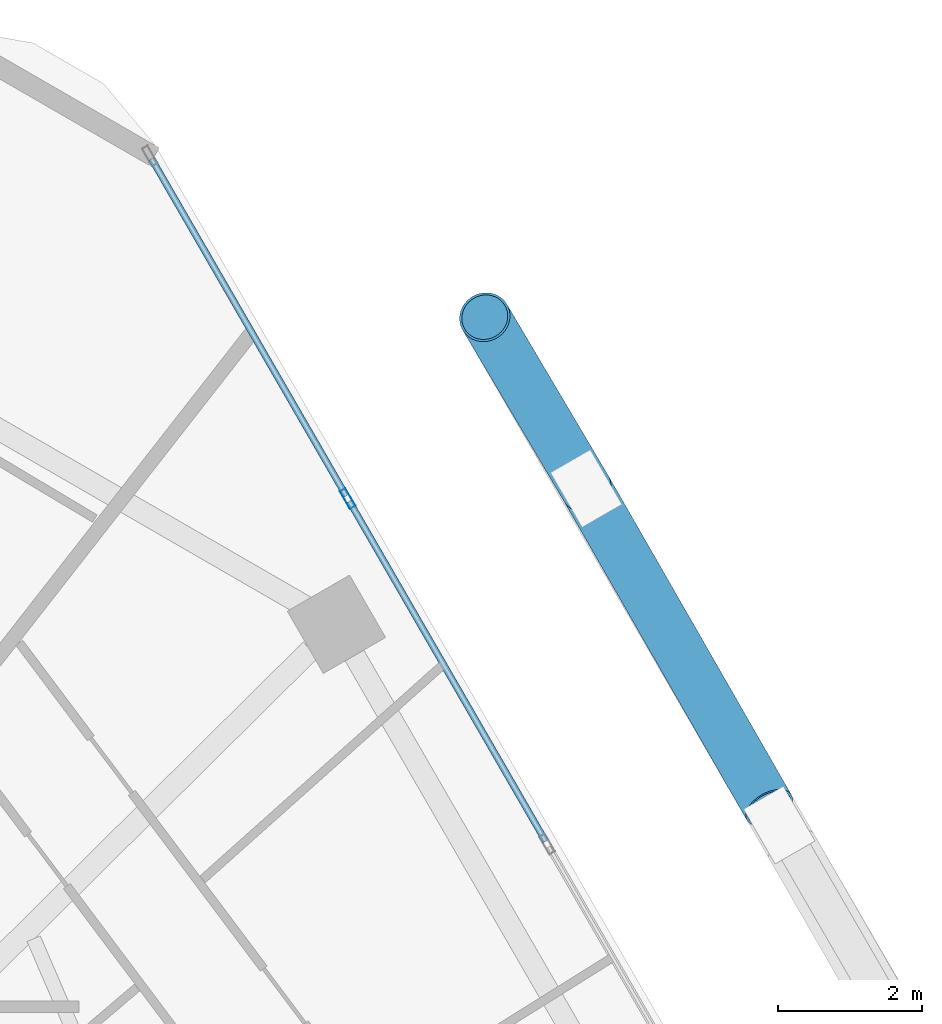
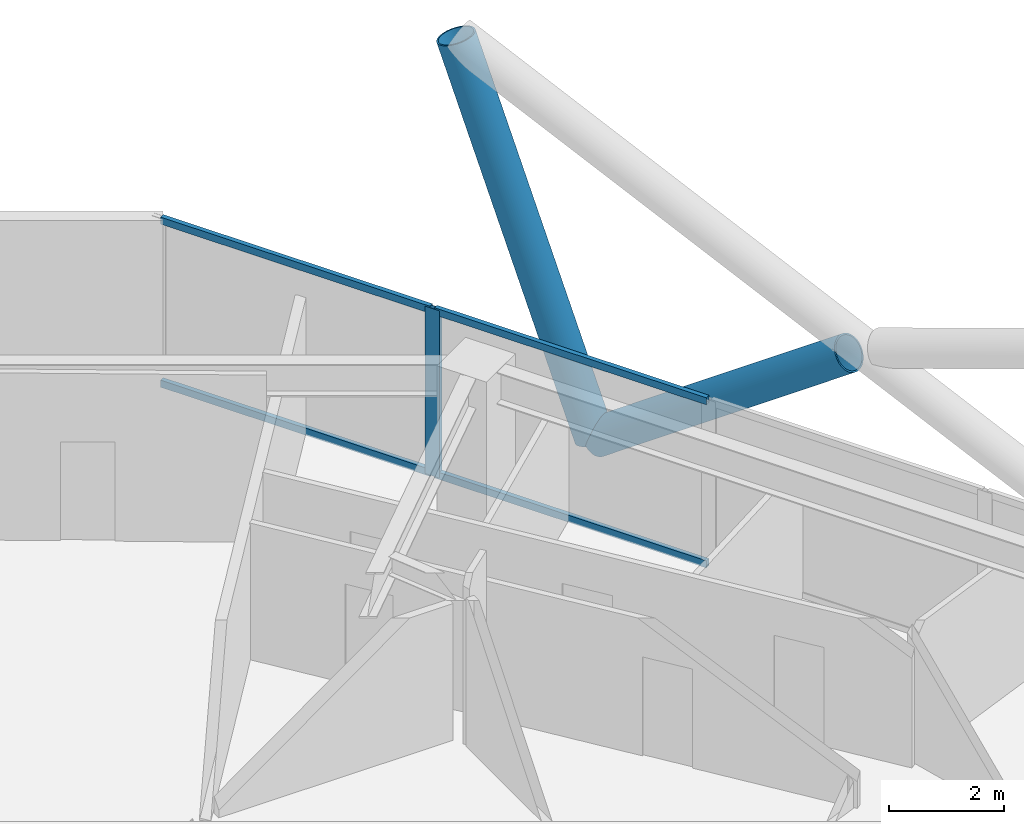
# One storey, part 18 of 28: 7 members, 1 element without a shape of its own.
"""IFC4 building model written with IfcOpenShell, lengths in metres."""

from ifc_helpers import new_model, si_unit, direction, frame, origin, origin_2d, place, context, subcontext, project, spatial, hollow_rectangle, hollow_circle, extrude, material, material_profile, profile_set, type_object, element, aggregate, save


model = new_model("IFC4")

# Units and contexts
model_context = context("Model", 3, precision=1e-05, world=origin(), true_north=direction((0.0, 1.0)))
body_context = subcontext(model_context, "Body", "Model", "MODEL_VIEW")
ifc_project = project(units=[si_unit("LENGTHUNIT", "METRE"), si_unit("AREAUNIT", "SQUARE_METRE"), si_unit("VOLUMEUNIT", "CUBIC_METRE"), si_unit("PLANEANGLEUNIT", "RADIAN"), si_unit("MASSUNIT", "GRAM", prefix="KILO")], contexts=[model_context])

# Site, building, storey
site_placement = place(None, origin())
site = spatial("IfcSite", under=ifc_project, at=site_placement, CompositionType="ELEMENT")
building_placement = place(site_placement, origin())
building = spatial("IfcBuilding", under=site, at=building_placement, Name="Zuhravey Tower", CompositionType="ELEMENT")
storey_placement = place(building_placement, frame((0.0, 0.0, 154.199951171875)))
storey = spatial("IfcBuildingStorey", under=building, at=storey_placement, Name="L38", CompositionType="ELEMENT", Elevation=154.199951171875)

# Curtain wall, members
ifc_material_1 = material(Name="Thermally broken anodised aluminium", Category="aluminium")
curtain_wall_type = type_object("IfcCurtainWallType", Name="Zone 1-2 Residential Curtain Wall CW3", PredefinedType="NOTDEFINED", material=ifc_material_1)
curtain_wall_placement = place(storey_placement, origin())
curtain_wall = element("IfcCurtainWall", 1, at=curtain_wall_placement, inside=storey, type_object=curtain_wall_type, Name="L38 CW3 CW-L38-F1-1", PredefinedType="NOTDEFINED")
ifc_material_2 = material(Name="Anodised aluminium", Category="aluminium")
ifc_material_profile_1 = material_profile(ifc_material_2, hollow_rectangle(XDim=0.090087890625, YDim=0.284912109375, WallThickness=0.0048828125, at=origin_2d()), Name="ALU-RHS-90x285x5")
ifc_profile_set_1 = profile_set([ifc_material_profile_1], Name="Anodised aluminium")
member_type_1 = type_object("IfcMemberType", Name="Curtain-Wall Mullion 90x180", PredefinedType="MULLION", material=ifc_profile_set_1)
member_1_placement = place(storey_placement, frame((55.3828125, 52.7939453125, 0.0), z_axis=(0.0, 0.0, 1.0), x_axis=(0.866025138215, 0.500000459979, 0.0)))
member_1 = element("IfcMember", 2, at=member_1_placement, type_object=member_type_1, Name="CW3 mullion 2", PredefinedType="MULLION", context=body_context, shape_type="SweptSolid", body=[
    extrude(hollow_rectangle(XDim=0.090087890625, YDim=0.284912109375, WallThickness=0.0048828125, at=origin_2d()), origin(), (0.0, 0.0, 1.0), 3.550048828125),
])
ifc_material_profile_2 = material_profile(ifc_material_2, hollow_rectangle(XDim=0.090087890625, YDim=0.14990234375, WallThickness=0.0048828125, at=origin_2d()), Name="ALU-RHS-90x150x5")
ifc_profile_set_2 = profile_set([ifc_material_profile_2], Name="Anodised aluminium")
member_type_2 = type_object("IfcMemberType", Name="Curtain-Wall Transom 90x150", PredefinedType="USERDEFINED", material=ifc_profile_set_2)
member_2_placement = place(storey_placement, frame((52.65576171875, 57.517578125, 0.045166015625), z_axis=(0.499993332629, -0.866029253159, 0.0), x_axis=(0.866029253159, 0.499993332629, 0.0)))
member_2 = element("IfcMember", 3, at=member_2_placement, type_object=member_type_2, Name="CW3 transom 1.1", ObjectType="TRANSOM", PredefinedType="USERDEFINED", context=body_context, shape_type="SweptSolid", body=[
    extrude(hollow_rectangle(XDim=0.090087890625, YDim=0.14990234375, WallThickness=0.0048828125, at=origin_2d()), origin(), (0.0, 0.0, 1.0), 5.4091796875),
])
member_3_placement = place(storey_placement, frame((52.65576171875, 57.517578125, 3.505126953125), z_axis=(0.499993332629, -0.866029253159, 0.0), x_axis=(0.866029253159, 0.499993332629, 0.0)))
member_3 = element("IfcMember", 4, at=member_3_placement, type_object=member_type_2, Name="CW3 transom 1.2", ObjectType="TRANSOM", PredefinedType="USERDEFINED", context=body_context, shape_type="SweptSolid", body=[
    extrude(hollow_rectangle(XDim=0.090087890625, YDim=0.14990234375, WallThickness=0.0048828125, at=origin_2d()), origin(), (0.0, 0.0, 1.0), 5.4091796875),
])
member_4_placement = place(storey_placement, frame((55.405517578125, 52.755126953125, 0.045166015625), z_axis=(0.49996138257, -0.86604769842, 0.0), x_axis=(0.86604769842, 0.49996138257, 0.0)))
member_4 = element("IfcMember", 5, at=member_4_placement, type_object=member_type_2, Name="CW3 transom 2.1", ObjectType="TRANSOM", PredefinedType="USERDEFINED", context=body_context, shape_type="SweptSolid", body=[
    extrude(hollow_rectangle(XDim=0.090087890625, YDim=0.14990234375, WallThickness=0.0048828125, at=origin_2d()), origin(), (0.0, 0.0, 1.0), 5.45458984375),
])
member_5_placement = place(storey_placement, frame((55.405517578125, 52.755126953125, 3.505126953125), z_axis=(0.49996138257, -0.86604769842, 0.0), x_axis=(0.86604769842, 0.49996138257, 0.0)))
member_5 = element("IfcMember", 6, at=member_5_placement, type_object=member_type_2, Name="CW3 transom 2.2", ObjectType="TRANSOM", PredefinedType="USERDEFINED", context=body_context, shape_type="SweptSolid", body=[
    extrude(hollow_rectangle(XDim=0.090087890625, YDim=0.14990234375, WallThickness=0.0048828125, at=origin_2d()), origin(), (0.0, 0.0, 1.0), 5.45458984375),
])
aggregate(curtain_wall, [member_1, member_2, member_3, member_4, member_5])

# Members
ifc_material_3 = material(Name="Steel SM460", Category="steel")
ifc_material_profile_3 = material_profile(ifc_material_3, hollow_circle(Radius=0.355712890625, WallThickness=0.031982421875, at=origin_2d()), Name="CHS-711.2x32")
ifc_profile_set_3 = profile_set([ifc_material_profile_3], Name="Steel SM460")
member_type_3 = type_object("IfcMemberType", Name="Exoskeleton Zone 2 Diagrid CHS711x32", PredefinedType="BRACE", material=ifc_profile_set_3)
member_6_placement = place(storey_placement, frame((58.693115234375, 52.940185546875, -0.44384765625), z_axis=(-0.174646436557, 0.295112130419, 0.939365452142), x_axis=(-0.860591717752, -0.509295489217, 0.0)))
element("IfcMember", 7, at=member_6_placement, inside=storey, type_object=member_type_3, Name="L38 Face 1 Diagrid Brace 4", PredefinedType="BRACE", context=body_context, shape_type="SweptSolid", body=[
    extrude(hollow_circle(Radius=0.355712890625, WallThickness=0.031982421875, at=origin_2d()), origin(), (0.0, 0.0, 1.0), 8.0478515625),
])
member_7_placement = place(storey_placement, frame((58.71630859375, 52.900390625, -0.4365234375), z_axis=(0.406760630044, -0.709135890432, 0.575909783513), x_axis=(0.867430450265, 0.497558452801, 0.0)))
element("IfcMember", 8, at=member_7_placement, inside=storey, type_object=member_type_3, Name="L38 Face 1 Split Diagrid Brace 3A", PredefinedType="BRACE", context=body_context, shape_type="SweptSolid", body=[
    extrude(hollow_circle(Radius=0.355712890625, WallThickness=0.031982421875, at=origin_2d()), origin(), (0.0, 0.0, 1.0), 6.204833984375),
])

save(model, "model.ifc")
